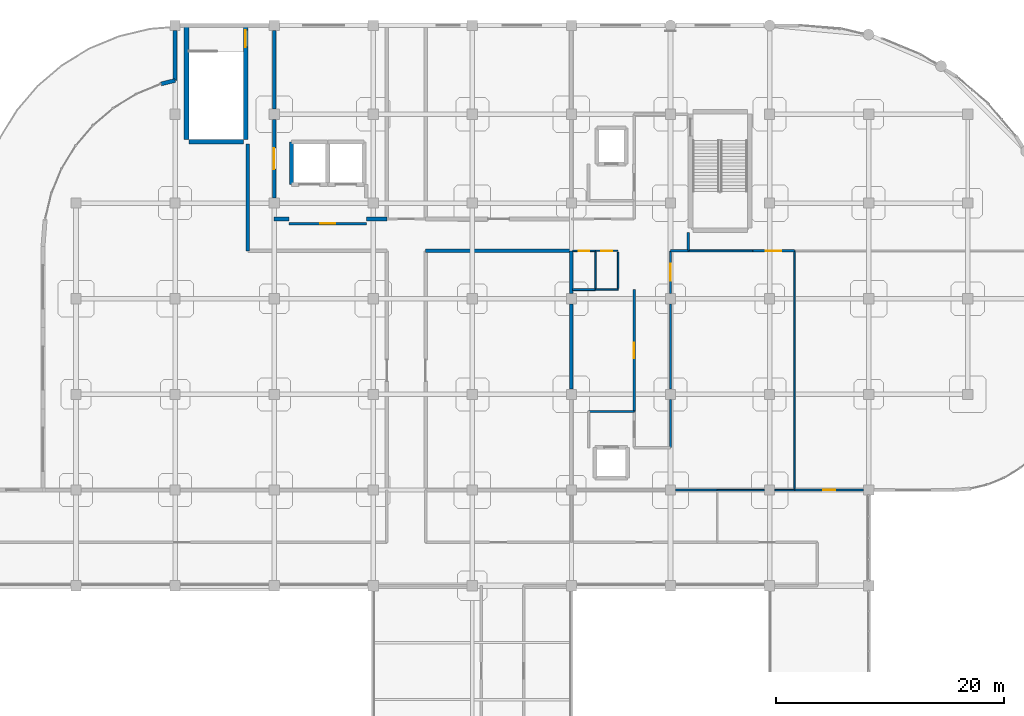
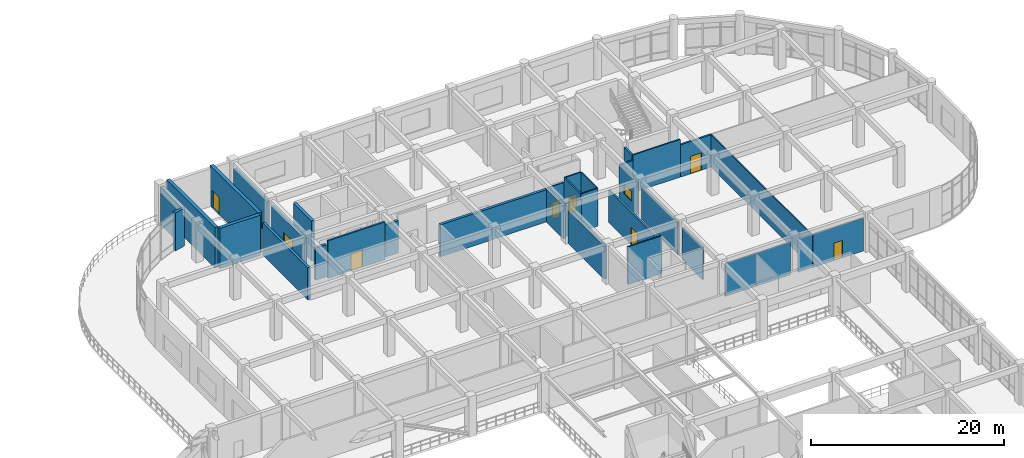
# One storey, part 104 of 120: 35 walls, 8 doors, 1 window, 9 openings.
"""IFC4 building model written with IfcOpenShell, lengths in metres."""

from ifc_helpers import new_model, si_unit, derived_unit, direction, frame, frame_2d, origin, place, context, subcontext, project, spatial, rectangle, extrude, material, layer, layer_set, type_object, element, fill, save


model = new_model("IFC4")

# Units and contexts
model_context = context("Model", 3, precision=1e-05, world=origin(), true_north=direction((0.0, 1.0)))
body_context = subcontext(model_context, "Body", "Model", "MODEL_VIEW")
ifc_project = project(units=[si_unit("LENGTHUNIT", "METRE"), si_unit("AREAUNIT", "SQUARE_METRE"), si_unit("VOLUMEUNIT", "CUBIC_METRE"), si_unit("PLANEANGLEUNIT", "RADIAN"), si_unit("MASSUNIT", "GRAM", prefix="KILO"), derived_unit("THERMALTRANSMITTANCEUNIT", [(si_unit("MASSUNIT", "GRAM", prefix="KILO"), 1), (si_unit("TIMEUNIT", "SECOND"), -3), (si_unit("THERMODYNAMICTEMPERATUREUNIT", "KELVIN"), -1)])], contexts=[model_context])

# Site, building, storey
site_placement = place(None, origin())
site = spatial("IfcSite", under=ifc_project, at=site_placement, CompositionType="ELEMENT")
building_placement = place(site_placement, origin())
building = spatial("IfcBuilding", under=site, at=building_placement, Name="Qinzheling Arcade Emporium", CompositionType="ELEMENT")
storey_placement = place(building_placement, frame((0.0, 0.0, 11.39990234375)))
storey = spatial("IfcBuildingStorey", under=building, at=storey_placement, Name="L03", CompositionType="ELEMENT", Elevation=11.39990234375)

# Wall, opening, door
ifc_material_1 = material(Name="Double-stud acoustic gypsum board partition")
ifc_layer_1 = layer(ifc_material_1, 0.215087890625, Name="Double-stud acoustic gypsum board partition")
ifc_layer_set_1 = layer_set([ifc_layer_1], Name="Double-stud acoustic gypsum board partition")
wall_type_1 = type_object("IfcWallType", Name="Acoustic Corridor Partition Wall 215", PredefinedType="PARTITIONING", material=ifc_layer_set_1)
wall_1_placement = place(storey_placement, frame((86.39990234375, 97.199951171875, 0.0), z_axis=(0.0, 0.0, 1.0), x_axis=(-1.0, 0.0, 0.0)))
wall_1 = element("IfcWall", 1, at=wall_1_placement, inside=storey, type_object=wall_type_1, Name="Interior Wall WL-L03-INT-0449", PredefinedType="PARTITIONING", context=body_context, shape_type="SweptSolid", body=[
    extrude(rectangle(XDim=6.7998046875, YDim=0.215087890625, at=frame_2d((3.39990234375, 0.0))), origin(), (0.0, 0.0, 1.0), 4.760009765625),
])
opening_1_placement = place(wall_1_placement, frame((2.72509765625, 0.0, 0.0)))
opening_1 = element("IfcOpeningElement", 2, at=opening_1_placement, cuts=wall_1, Name="Opening FD05", PredefinedType="OPENING", context=body_context, shape_type="SweptSolid", body=[
    extrude(rectangle(XDim=1.35009765625, YDim=2.199951171875, at=frame_2d((0.675048828125, 1.10009765625))), frame((0.0, 0.11767578125, 0.0), z_axis=(0.0, -1.0, 0.0), x_axis=(1.0, 0.0, 0.0)), (0.0, 0.0, 1.0), 0.235107421875),
])
ifc_material_2 = material(Name="Class B fire-rated stainless-clad door")
door_type_1 = type_object("IfcDoorType", Name="Kitchen Fire-Rated Service Door 1350x2200", OperationType="NOTDEFINED", PredefinedType="DOOR", material=ifc_material_2)
door_1_placement = place(opening_1_placement, origin())
door_1 = element("IfcDoor", 3, at=door_1_placement, inside=storey, type_object=door_type_1, Name="FD05 Interior Door DR-L03-INT-0125", OperationType="SINGLE_SWING_LEFT", OverallHeight=2.199951171875, OverallWidth=1.35009765625, PredefinedType="DOOR", context=body_context, shape_type="SweptSolid", body=[
    extrude(rectangle(XDim=1.35009765625, YDim=2.199951171875, at=frame_2d((0.675048828125, 1.10009765625))), frame((0.0, 0.02490234375, 0.0), z_axis=(0.0, -1.0, 0.0), x_axis=(1.0, 0.0, 0.0)), (0.0, 0.0, 1.0), 0.050048828125),
])
fill(opening_1, door_1)

# Wall
wall_2_placement = place(storey_placement, frame((114.655029296875, 94.800048828125, 0.0), z_axis=(0.0, 0.0, 1.0), x_axis=(-1.0, 0.0, 0.0)))
element("IfcWall", 4, at=wall_2_placement, inside=storey, type_object=wall_type_1, Name="Interior Wall WL-L03-INT-0531", PredefinedType="PARTITIONING", context=body_context, shape_type="SweptSolid", body=[
    extrude(rectangle(XDim=1.554931640625, YDim=0.215087890625, at=frame_2d((0.77734375, 0.0))), origin(), (0.0, 0.0, 1.0), 4.0751953125),
])

# Wall, opening, window
wall_3_placement = place(storey_placement, frame((113.10009765625, 94.800048828125, 0.0), z_axis=(0.0, 0.0, 1.0), x_axis=(0.0, -1.0, 0.0)))
wall_3 = element("IfcWall", 5, at=wall_3_placement, inside=storey, type_object=wall_type_1, Name="Interior Wall WL-L03-INT-0532", PredefinedType="PARTITIONING", context=body_context, shape_type="SweptSolid", body=[
    extrude(rectangle(XDim=3.739990234375, YDim=0.215087890625, at=frame_2d((1.8701171875, 0.0))), origin(), (0.0, 0.0, 1.0), 4.0751953125),
])
opening_2_placement = place(wall_3_placement, frame((1.1201171875, 0.0, 1.050048828125)))
opening_2 = element("IfcOpeningElement", 6, at=opening_2_placement, cuts=wall_3, Name="Opening IW03", PredefinedType="OPENING", context=body_context, shape_type="SweptSolid", body=[
    extrude(rectangle(XDim=1.5, YDim=1.199951171875, at=frame_2d((0.75, 0.60009765625))), frame((0.0, 0.11767578125, 0.0), z_axis=(0.0, -1.0, 0.0), x_axis=(1.0, 0.0, 0.0)), (0.0, 0.0, 1.0), 0.235107421875),
])
ifc_material_3 = material(Name="EI 60 fire-resistant clear safety glazing in steel frame", Category="steel")
window_type = type_object("IfcWindowType", Name="Interior Fire-Glazed Observation Window 1500x1200", PartitioningType="DOUBLE_PANEL_VERTICAL", PredefinedType="USERDEFINED", material=ifc_material_3)
window_placement = place(opening_2_placement, origin())
window = element("IfcWindow", 7, at=window_placement, inside=storey, type_object=window_type, Name="Interior Observation Window IWN-L03-02", ObjectType="BORROWED_LIGHT", OverallHeight=1.199951171875, OverallWidth=1.5, PartitioningType="DOUBLE_PANEL_VERTICAL", PredefinedType="USERDEFINED", context=body_context, shape_type="SweptSolid", body=[
    extrude(rectangle(XDim=1.5, YDim=1.199951171875, at=frame_2d((0.75, 0.60009765625))), frame((0.0, 0.030029296875, 0.0), z_axis=(0.0, -1.0, 0.0), x_axis=(1.0, 0.0, 0.0)), (0.0, 0.0, 1.0), 0.06005859375),
])
fill(opening_2, window)

# Walls
wall_4_placement = place(storey_placement, frame((113.10009765625, 90.139892578125, 0.0), z_axis=(0.0, 0.0, 1.0), x_axis=(0.0, -1.0, 0.0)))
element("IfcWall", 8, at=wall_4_placement, inside=storey, type_object=wall_type_1, Name="Interior Wall WL-L03-INT-0533", PredefinedType="PARTITIONING", context=body_context, shape_type="SweptSolid", body=[
    extrude(rectangle(XDim=7.47998046875, YDim=0.215087890625, at=frame_2d((3.739990234375, 0.0))), origin(), (0.0, 0.0, 1.0), 4.0751953125),
])
wall_5_placement = place(storey_placement, frame((113.10009765625, 81.739990234375, 0.0), z_axis=(0.0, 0.0, 1.0), x_axis=(0.0, -1.0, 0.0)))
element("IfcWall", 9, at=wall_5_placement, inside=storey, type_object=wall_type_1, Name="Interior Wall WL-L03-INT-0534", PredefinedType="PARTITIONING", context=body_context, shape_type="SweptSolid", body=[
    extrude(rectangle(XDim=4.2099609375, YDim=0.215087890625, at=frame_2d((2.10498046875, 0.0))), origin(), (0.0, 0.0, 1.0), 4.0751953125),
])

# Wall, opening, door
wall_6_placement = place(storey_placement, frame((109.89990234375, 80.699951171875, 0.0), z_axis=(0.0, 0.0, 1.0), x_axis=(0.0, 1.0, 0.0)))
wall_6 = element("IfcWall", 10, at=wall_6_placement, inside=storey, type_object=wall_type_1, Name="Interior Wall WL-L03-INT-0536", PredefinedType="PARTITIONING", context=body_context, shape_type="SweptSolid", body=[
    extrude(rectangle(XDim=10.699951171875, YDim=0.215087890625, at=frame_2d((5.35009765625, 0.0))), origin(), (0.0, 0.0, 1.0), 4.0751953125),
])
opening_3_placement = place(wall_6_placement, frame((4.675048828125, 0.0, 0.0)))
opening_3 = element("IfcOpeningElement", 11, at=opening_3_placement, cuts=wall_6, Name="Opening FD05", PredefinedType="OPENING", context=body_context, shape_type="SweptSolid", body=[
    extrude(rectangle(XDim=1.35009765625, YDim=2.199951171875, at=frame_2d((0.675048828125, 1.10009765625))), frame((0.0, 0.11767578125, 0.0), z_axis=(0.0, -1.0, 0.0), x_axis=(1.0, 0.0, 0.0)), (0.0, 0.0, 1.0), 0.235107421875),
])
door_2_placement = place(opening_3_placement, origin())
door_2 = element("IfcDoor", 12, at=door_2_placement, inside=storey, type_object=door_type_1, Name="FD05 Interior Door DR-L03-INT-0156", OperationType="SINGLE_SWING_RIGHT", OverallHeight=2.199951171875, OverallWidth=1.35009765625, PredefinedType="DOOR", context=body_context, shape_type="SweptSolid", body=[
    extrude(rectangle(XDim=1.35009765625, YDim=2.199951171875, at=frame_2d((0.675048828125, 1.10009765625))), frame((0.0, 0.02490234375, 0.0), z_axis=(0.0, -1.0, 0.0), x_axis=(1.0, 0.0, 0.0)), (0.0, 0.0, 1.0), 0.050048828125),
])
fill(opening_3, door_2)

# Wall
wall_7_placement = place(storey_placement, frame((114.655029296875, 96.39990234375, 0.0), z_axis=(0.0, 0.0, 1.0), x_axis=(0.0, -1.0, 0.0)))
element("IfcWall", 13, at=wall_7_placement, inside=storey, type_object=wall_type_1, Name="Interior Wall WL-L03-INT-0542", PredefinedType="PARTITIONING", context=body_context, shape_type="SweptSolid", body=[
    extrude(rectangle(XDim=1.599853515625, YDim=0.215087890625, at=frame_2d((0.7998046875, 0.0))), origin(), (0.0, 0.0, 1.0), 4.760009765625),
])

# Wall, opening, door
wall_8_placement = place(storey_placement, frame((120.300048828125, 94.800048828125, 0.0), z_axis=(0.0, 0.0, 1.0), x_axis=(1.0, 0.0, 0.0)))
wall_8 = element("IfcWall", 14, at=wall_8_placement, inside=storey, type_object=wall_type_1, Name="Interior Wall WL-L03-INT-0583", PredefinedType="PARTITIONING", context=body_context, shape_type="SweptSolid", body=[
    extrude(rectangle(XDim=3.699951171875, YDim=0.215087890625, at=frame_2d((1.85009765625, 0.0))), origin(), (0.0, 0.0, 1.0), 4.0751953125),
])
opening_4_placement = place(wall_8_placement, frame((1.175048828125, 0.0, 0.0)))
opening_4 = element("IfcOpeningElement", 15, at=opening_4_placement, cuts=wall_8, Name="Opening FD05", PredefinedType="OPENING", context=body_context, shape_type="SweptSolid", body=[
    extrude(rectangle(XDim=1.35009765625, YDim=2.199951171875, at=frame_2d((0.675048828125, 1.10009765625))), frame((0.0, 0.11767578125, 0.0), z_axis=(0.0, -1.0, 0.0), x_axis=(1.0, 0.0, 0.0)), (0.0, 0.0, 1.0), 0.235107421875),
])
door_3_placement = place(opening_4_placement, origin())
door_3 = element("IfcDoor", 16, at=door_3_placement, inside=storey, type_object=door_type_1, Name="FD05 Interior Door DR-L03-INT-0158", OperationType="SINGLE_SWING_RIGHT", OverallHeight=2.199951171875, OverallWidth=1.35009765625, PredefinedType="DOOR", context=body_context, shape_type="SweptSolid", body=[
    extrude(rectangle(XDim=1.35009765625, YDim=2.199951171875, at=frame_2d((0.675048828125, 1.10009765625))), frame((0.0, 0.02490234375, 0.0), z_axis=(0.0, -1.0, 0.0), x_axis=(1.0, 0.0, 0.0)), (0.0, 0.0, 1.0), 0.050048828125),
])
fill(opening_4, door_3)

# Walls
ifc_material_4 = material(Name="Demountable aluminium-and-gypsum retail partition", Category="aluminium")
ifc_layer_2 = layer(ifc_material_4, 0.1650390625, Name="Demountable aluminium-and-gypsum retail partition", Category="aluminium")
ifc_layer_set_2 = layer_set([ifc_layer_2], Name="Demountable aluminium-and-gypsum retail partition")
wall_type_2 = type_object("IfcWallType", Name="Boutique Demountable Partition Wall 165", PredefinedType="PARTITIONING", material=ifc_layer_set_2)
wall_9_placement = place(storey_placement, frame((114.655029296875, 94.800048828125, 0.0), z_axis=(0.0, 0.0, 1.0), x_axis=(1.0, 0.0, 0.0)))
element("IfcWall", 17, at=wall_9_placement, inside=storey, type_object=wall_type_2, Name="Interior Wall WL-L03-INT-0584", PredefinedType="PARTITIONING", context=body_context, shape_type="SweptSolid", body=[
    extrude(rectangle(XDim=5.64501953125, YDim=0.1650390625, at=frame_2d((2.822509765625, 0.0))), origin(), (0.0, 0.0, 1.0), 4.760009765625),
])
ifc_material_5 = material(Name="Fluted granite ashlar on Concrete C40", Category="masonry")
ifc_layer_3 = layer(ifc_material_5, 0.35009765625, Name="Fluted granite ashlar on Concrete C40", Category="masonry")
ifc_layer_set_3 = layer_set([ifc_layer_3], Name="Fluted granite ashlar on Concrete C40")
wall_type_3 = type_object("IfcWallType", Name="Fluted Granite Logistics Wall 350", PredefinedType="STANDARD", material=ifc_layer_set_3)
wall_10_placement = place(storey_placement, frame((68.364990234375, 109.466064453125, 0.0), z_axis=(0.0, 0.0, 1.0), x_axis=(0.972481446434, 0.232980334667, 0.0)))
element("IfcWall", 18, at=wall_10_placement, inside=storey, type_object=wall_type_3, Name="Exterior Wall WL-L03-EW-0182", PredefinedType="STANDARD", context=body_context, shape_type="SweptSolid", body=[
    extrude(rectangle(XDim=1.27001953125, YDim=0.35009765625, at=frame_2d((0.635009765625, 0.0))), origin(), (0.0, 0.0, 1.0), 4.7900390625),
])
wall_11_placement = place(storey_placement, frame((69.60009765625, 109.761962890625, 0.0), z_axis=(0.0, 0.0, 1.0), x_axis=(0.0, 1.0, 0.0)))
element("IfcWall", 19, at=wall_11_placement, inside=storey, type_object=wall_type_3, Name="Exterior Wall WL-L03-EW-0183", PredefinedType="STANDARD", context=body_context, shape_type="SweptSolid", body=[
    extrude(rectangle(XDim=4.385986328125, YDim=0.35009765625, at=frame_2d((2.19287109375, 0.0))), origin(), (0.0, 0.0, 1.0), 4.7900390625),
])
ifc_material_6 = material(Name="Lightweight gypsum studio partition")
ifc_layer_4 = layer(ifc_material_6, 0.125, Name="Lightweight gypsum studio partition")
ifc_layer_set_4 = layer_set([ifc_layer_4], Name="Lightweight gypsum studio partition")
wall_type_4 = type_object("IfcWallType", Name="Merchandising Studio Partition Wall 125", PredefinedType="PARTITIONING", material=ifc_layer_set_4)
wall_12_placement = place(storey_placement, frame((117.199951171875, 73.800048828125, 0.0), z_axis=(0.0, 0.0, 1.0), x_axis=(1.0, 0.0, 0.0)))
element("IfcWall", 20, at=wall_12_placement, inside=storey, type_object=wall_type_4, Name="Interior Wall WL-L03-INT-0570", PredefinedType="PARTITIONING", context=body_context, shape_type="SweptSolid", body=[
    extrude(rectangle(XDim=4.14013671875, YDim=0.125, at=frame_2d((2.070068359375, 0.0))), origin(), (0.0, 0.0, 1.0), 4.175048828125),
])
wall_13_placement = place(storey_placement, frame((122.260009765625, 73.800048828125, 0.0), z_axis=(0.0, 0.0, 1.0), x_axis=(1.0, 0.0, 0.0)))
element("IfcWall", 21, at=wall_13_placement, inside=storey, type_object=wall_type_4, Name="Interior Wall WL-L03-INT-0571", PredefinedType="PARTITIONING", context=body_context, shape_type="SweptSolid", body=[
    extrude(rectangle(XDim=1.739990234375, YDim=0.125, at=frame_2d((0.8701171875, 0.0))), origin(), (0.0, 0.0, 1.0), 4.175048828125),
])
ifc_material_7 = material(Name="Moisture-resistant shaftliner gypsum board")
ifc_layer_5 = layer(ifc_material_7, 0.155029296875, Name="Moisture-resistant shaftliner gypsum board")
ifc_layer_set_5 = layer_set([ifc_layer_5], Name="Moisture-resistant shaftliner gypsum board")
wall_type_5 = type_object("IfcWallType", Name="Plumbing and Service Riser Wall 155", PredefinedType="MOVABLE", material=ifc_layer_set_5)
wall_14_placement = place(storey_placement, frame((106.5, 91.39990234375, 0.0), z_axis=(0.0, 0.0, 1.0), x_axis=(-1.0, 0.0, 0.0)))
element("IfcWall", 22, at=wall_14_placement, inside=storey, type_object=wall_type_5, Name="Interior Wall WL-L03-INT-0463", PredefinedType="MOVABLE", context=body_context, shape_type="SweptSolid", body=[
    extrude(rectangle(XDim=2.0, YDim=0.155029296875, at=frame_2d((1.0, 0.0))), origin(), (0.0, 0.0, 1.0), 4.175048828125),
])
ifc_material_8 = material(Name="Concrete C40", Category="concrete")
ifc_layer_6 = layer(ifc_material_8, 0.35009765625, Name="Concrete C40", Category="concrete")
ifc_layer_set_6 = layer_set([ifc_layer_6], Name="Concrete C40")
wall_type_6 = type_object("IfcWallType", Name="RC Lift Shaft Shear Wall 350 C40", PredefinedType="SHEAR", material=ifc_layer_set_6)
wall_15_placement = place(storey_placement, frame((79.824951171875, 100.625, 0.0), z_axis=(0.0, 0.0, 1.0), x_axis=(0.0, 1.0, 0.0)))
element("IfcWall", 23, at=wall_15_placement, inside=storey, type_object=wall_type_6, Name="Lift Shaft Wall WL-L03-LFT-LG01-W", PredefinedType="SHEAR", context=body_context, shape_type="SweptSolid", body=[
    extrude(rectangle(XDim=3.75, YDim=0.35009765625, at=frame_2d((1.875, 0.0))), origin(), (0.0, 0.0, 1.0), 5.10009765625),
])
ifc_material_9 = material(Name="Concrete C50", Category="concrete")
ifc_layer_7 = layer(ifc_material_9, 0.39990234375, Name="Concrete C50", Category="concrete")
ifc_layer_set_7 = layer_set([ifc_layer_7], Name="Concrete C50")
wall_type_7 = type_object("IfcWallType", Name="RC Stair Core Shear Wall 400 C50", PredefinedType="SHEAR", material=ifc_layer_set_7)
wall_16_placement = place(storey_placement, frame((70.60009765625, 104.60009765625, 0.0), z_axis=(0.0, 0.0, 1.0), x_axis=(0.0, 1.0, 0.0)))
element("IfcWall", 24, at=wall_16_placement, inside=storey, type_object=wall_type_7, Name="Stair Core Wall WL-L03-ST07-WEST", PredefinedType="SHEAR", context=body_context, shape_type="SweptSolid", body=[
    extrude(rectangle(XDim=10.0, YDim=0.39990234375, at=frame_2d((5.0, 0.0))), origin(), (0.0, 0.0, 1.0), 5.10009765625),
])

# Wall, opening, door
wall_17_placement = place(storey_placement, frame((75.7900390625, 114.60009765625, 0.0), z_axis=(0.0, 0.0, 1.0), x_axis=(0.0, -1.0, 0.0)))
wall_17 = element("IfcWall", 25, at=wall_17_placement, inside=storey, type_object=wall_type_7, Name="Stair Core Wall WL-L03-ST07-EAST", PredefinedType="SHEAR", context=body_context, shape_type="SweptSolid", body=[
    extrude(rectangle(XDim=10.0, YDim=0.39990234375, at=frame_2d((5.0, 0.0))), origin(), (0.0, 0.0, 1.0), 5.10009765625),
])
opening_5_placement = place(wall_17_placement, frame((0.409912109375, 0.0, 0.0)))
opening_5 = element("IfcOpeningElement", 26, at=opening_5_placement, cuts=wall_17, Name="Opening FD01", PredefinedType="OPENING", context=body_context, shape_type="SweptSolid", body=[
    extrude(rectangle(XDim=1.5, YDim=2.199951171875, at=frame_2d((0.75, 1.10009765625))), frame((0.0, 0.2099609375, 0.0), z_axis=(0.0, -1.0, 0.0), x_axis=(1.0, 0.0, 0.0)), (0.0, 0.0, 1.0), 0.419921875),
])
ifc_material_10 = material(Name="Class A fire-rated steel double door", Category="steel")
door_type_2 = type_object("IfcDoorType", Name="Stairwell Smoke-Proof Fire Door 1500x2200", OperationType="DOUBLE_DOOR_SINGLE_SWING", PredefinedType="DOOR", material=ifc_material_10)
door_4_placement = place(opening_5_placement, origin())
door_4 = element("IfcDoor", 27, at=door_4_placement, inside=storey, type_object=door_type_2, Name="FD01 Stairwell Fire Door DR-L03-ST07-FD", OperationType="DOUBLE_DOOR_SINGLE_SWING", OverallHeight=2.199951171875, OverallWidth=1.5, PredefinedType="DOOR", context=body_context, shape_type="SweptSolid", body=[
    extrude(rectangle(XDim=1.5, YDim=2.199951171875, at=frame_2d((0.75, 1.10009765625))), frame((0.0, 0.02490234375, 0.0), z_axis=(0.0, -1.0, 0.0), x_axis=(1.0, 0.0, 0.0)), (0.0, 0.0, 1.0), 0.050048828125),
])
fill(opening_5, door_4)

# Walls
wall_18_placement = place(storey_placement, frame((75.590087890625, 104.39990234375, 0.0), z_axis=(0.0, 0.0, 1.0), x_axis=(-1.0, 0.0, 0.0)))
element("IfcWall", 28, at=wall_18_placement, inside=storey, type_object=wall_type_7, Name="Stair Core Wall WL-L03-ST07-SOUTH", PredefinedType="SHEAR", context=body_context, shape_type="SweptSolid", body=[
    extrude(rectangle(XDim=4.7900390625, YDim=0.39990234375, at=frame_2d((2.39501953125, 0.0))), origin(), (0.0, 0.0, 1.0), 5.10009765625),
])
ifc_material_11 = material(Name="Autoclaved aerated concrete masonry with fire plaster", Category="masonry")
ifc_layer_8 = layer(ifc_material_11, 0.31005859375, Name="Autoclaved aerated concrete masonry with fire plaster", Category="masonry")
ifc_layer_set_8 = layer_set([ifc_layer_8], Name="Autoclaved aerated concrete masonry with fire plaster")
wall_type_8 = type_object("IfcWallType", Name="Retail Compartment Fire Wall 310 C40", PredefinedType="STANDARD", material=ifc_layer_set_8)
wall_19_placement = place(storey_placement, frame((75.989990234375, 94.800048828125, 0.0), z_axis=(0.0, 0.0, 1.0), x_axis=(0.0, 1.0, 0.0)))
element("IfcWall", 29, at=wall_19_placement, inside=storey, type_object=wall_type_8, Name="Interior Wall WL-L03-INT-0523", PredefinedType="STANDARD", context=body_context, shape_type="SweptSolid", body=[
    extrude(rectangle(XDim=9.39990234375, YDim=0.31005859375, at=frame_2d((4.699951171875, 0.0))), origin(), (0.0, 0.0, 1.0), 4.06005859375),
])
wall_20_placement = place(storey_placement, frame((78.300048828125, 114.139892578125, 0.0), z_axis=(0.0, 0.0, 1.0), x_axis=(0.0, -1.0, 0.0)))
element("IfcWall", 30, at=wall_20_placement, inside=storey, type_object=wall_type_8, Name="Interior Wall WL-L03-INT-0524", PredefinedType="STANDARD", context=body_context, shape_type="SweptSolid", body=[
    extrude(rectangle(XDim=6.8798828125, YDim=0.31005859375, at=frame_2d((3.43994140625, 0.0))), origin(), (0.0, 0.0, 1.0), 4.06005859375),
])

# Wall, opening, door
wall_21_placement = place(storey_placement, frame((78.300048828125, 106.340087890625, 0.0), z_axis=(0.0, 0.0, 1.0), x_axis=(0.0, -1.0, 0.0)))
wall_21 = element("IfcWall", 31, at=wall_21_placement, inside=storey, type_object=wall_type_8, Name="Interior Wall WL-L03-INT-0525", PredefinedType="STANDARD", context=body_context, shape_type="SweptSolid", body=[
    extrude(rectangle(XDim=6.880126953125, YDim=0.31005859375, at=frame_2d((3.43994140625, 0.0))), origin(), (0.0, 0.0, 1.0), 4.06005859375),
])
opening_6_placement = place(wall_21_placement, frame((2.514892578125, 0.0, 0.0)))
opening_6 = element("IfcOpeningElement", 32, at=opening_6_placement, cuts=wall_21, Name="Opening FD03", PredefinedType="OPENING", context=body_context, shape_type="SweptSolid", body=[
    extrude(rectangle(XDim=1.85009765625, YDim=2.300048828125, at=frame_2d((0.925048828125, 1.14990234375))), frame((0.0, 0.1650390625, 0.0), z_axis=(0.0, -1.0, 0.0), x_axis=(1.0, 0.0, 0.0)), (0.0, 0.0, 1.0), 0.330078125),
])
door_type_3 = type_object("IfcDoorType", Name="Stockroom Double Fire Door 1850x2300", OperationType="DOUBLE_DOOR_SINGLE_SWING", PredefinedType="DOOR", material=ifc_material_10)
door_5_placement = place(opening_6_placement, origin())
door_5 = element("IfcDoor", 33, at=door_5_placement, inside=storey, type_object=door_type_3, Name="FD03 Interior Door DR-L03-INT-0153", OperationType="DOUBLE_DOOR_SINGLE_SWING", OverallHeight=2.300048828125, OverallWidth=1.85009765625, PredefinedType="DOOR", context=body_context, shape_type="SweptSolid", body=[
    extrude(rectangle(XDim=1.85009765625, YDim=2.300048828125, at=frame_2d((0.925048828125, 1.14990234375))), frame((0.0, 0.02490234375, 0.0), z_axis=(0.0, -1.0, 0.0), x_axis=(1.0, 0.0, 0.0)), (0.0, 0.0, 1.0), 0.050048828125),
])
fill(opening_6, door_5)

# Walls
wall_22_placement = place(storey_placement, frame((78.300048828125, 97.60009765625, 0.0), z_axis=(0.0, 0.0, 1.0), x_axis=(1.0, 0.0, 0.0)))
element("IfcWall", 34, at=wall_22_placement, inside=storey, type_object=wall_type_8, Name="Interior Wall WL-L03-INT-0526", PredefinedType="STANDARD", context=body_context, shape_type="SweptSolid", body=[
    extrude(rectangle(XDim=1.300048828125, YDim=0.31005859375, at=frame_2d((0.64990234375, 0.0))), origin(), (0.0, 0.0, 1.0), 4.06005859375),
])
wall_23_placement = place(storey_placement, frame((86.39990234375, 97.60009765625, 0.0), z_axis=(0.0, 0.0, 1.0), x_axis=(1.0, 0.0, 0.0)))
element("IfcWall", 35, at=wall_23_placement, inside=storey, type_object=wall_type_8, Name="Interior Wall WL-L03-INT-0527", PredefinedType="STANDARD", context=body_context, shape_type="SweptSolid", body=[
    extrude(rectangle(XDim=1.800048828125, YDim=0.31005859375, at=frame_2d((0.89990234375, 0.0))), origin(), (0.0, 0.0, 1.0), 4.06005859375),
])
wall_24_placement = place(storey_placement, frame((104.39990234375, 94.800048828125, 0.0), z_axis=(0.0, 0.0, 1.0), x_axis=(-1.0, 0.0, 0.0)))
element("IfcWall", 36, at=wall_24_placement, inside=storey, type_object=wall_type_8, Name="Interior Wall WL-L03-INT-0528", PredefinedType="STANDARD", context=body_context, shape_type="SweptSolid", body=[
    extrude(rectangle(XDim=12.7998046875, YDim=0.31005859375, at=frame_2d((6.39990234375, 0.0))), origin(), (0.0, 0.0, 1.0), 4.06005859375),
])
wall_25_placement = place(storey_placement, frame((104.39990234375, 94.800048828125, 0.0), z_axis=(0.0, 0.0, 1.0), x_axis=(0.0, -1.0, 0.0)))
element("IfcWall", 37, at=wall_25_placement, inside=storey, type_object=wall_type_8, Name="Interior Wall WL-L03-INT-0576", PredefinedType="STANDARD", context=body_context, shape_type="SweptSolid", body=[
    extrude(rectangle(XDim=3.739990234375, YDim=0.31005859375, at=frame_2d((1.8701171875, 0.0))), origin(), (0.0, 0.0, 1.0), 4.175048828125),
])
wall_26_placement = place(storey_placement, frame((104.39990234375, 90.139892578125, 0.0), z_axis=(0.0, 0.0, 1.0), x_axis=(0.0, -1.0, 0.0)))
element("IfcWall", 38, at=wall_26_placement, inside=storey, type_object=wall_type_8, Name="Interior Wall WL-L03-INT-0577", PredefinedType="STANDARD", context=body_context, shape_type="SweptSolid", body=[
    extrude(rectangle(XDim=7.47998046875, YDim=0.31005859375, at=frame_2d((3.739990234375, 0.0))), origin(), (0.0, 0.0, 1.0), 4.175048828125),
])

# Wall, opening, door
ifc_material_12 = material(Name="Double-board salon partition")
ifc_layer_9 = layer(ifc_material_12, 0.175048828125, Name="Double-board salon partition")
ifc_layer_set_9 = layer_set([ifc_layer_9], Name="Double-board salon partition")
wall_type_9 = type_object("IfcWallType", Name="Salon Acoustic Partition Wall 175", PredefinedType="PARTITIONING", material=ifc_layer_set_9)
wall_27_placement = place(storey_placement, frame((124.0, 73.800048828125, 0.0), z_axis=(0.0, 0.0, 1.0), x_axis=(1.0, 0.0, 0.0)))
wall_27 = element("IfcWall", 39, at=wall_27_placement, inside=storey, type_object=wall_type_9, Name="Interior Wall WL-L03-INT-0572", PredefinedType="PARTITIONING", context=body_context, shape_type="SweptSolid", body=[
    extrude(rectangle(XDim=6.0400390625, YDim=0.175048828125, at=frame_2d((3.02001953125, 0.0))), origin(), (0.0, 0.0, 1.0), 4.175048828125),
])
opening_7_placement = place(wall_27_placement, frame((2.4951171875, 0.0, 0.0)))
opening_7 = element("IfcOpeningElement", 40, at=opening_7_placement, cuts=wall_27, Name="Opening D07", PredefinedType="OPENING", context=body_context, shape_type="SweptSolid", body=[
    extrude(rectangle(XDim=1.050048828125, YDim=2.199951171875, at=frame_2d((0.52490234375, 1.10009765625))), frame((0.0, 0.09765625, 0.0), z_axis=(0.0, -1.0, 0.0), x_axis=(1.0, 0.0, 0.0)), (0.0, 0.0, 1.0), 0.195068359375),
])
ifc_material_13 = material(Name="Vision-panel timber office door", Category="wood")
door_type_4 = type_object("IfcDoorType", Name="Buying Office Single Door 1050x2200", OperationType="NOTDEFINED", PredefinedType="DOOR", material=ifc_material_13)
door_6_placement = place(opening_7_placement, origin())
door_6 = element("IfcDoor", 41, at=door_6_placement, inside=storey, type_object=door_type_4, Name="D07 Interior Door DR-L03-INT-0157", OperationType="SINGLE_SWING_LEFT", OverallHeight=2.199951171875, OverallWidth=1.050048828125, PredefinedType="DOOR", context=body_context, shape_type="SweptSolid", body=[
    extrude(rectangle(XDim=1.050048828125, YDim=2.199951171875, at=frame_2d((0.52490234375, 1.10009765625))), frame((0.0, 0.02490234375, 0.0), z_axis=(0.0, -1.0, 0.0), x_axis=(1.0, 0.0, 0.0)), (0.0, 0.0, 1.0), 0.050048828125),
])
fill(opening_7, door_6)

# Walls
ifc_material_14 = material(Name="Steel-stud showroom partition", Category="steel")
ifc_layer_10 = layer(ifc_material_14, 0.159912109375, Name="Steel-stud showroom partition", Category="steel")
ifc_layer_set_10 = layer_set([ifc_layer_10], Name="Steel-stud showroom partition")
wall_type_10 = type_object("IfcWallType", Name="Showroom Partition Wall 160", PredefinedType="PARTITIONING", material=ifc_layer_set_10)
wall_28_placement = place(storey_placement, frame((105.89990234375, 80.699951171875, 0.0), z_axis=(0.0, 0.0, 1.0), x_axis=(1.0, 0.0, 0.0)))
element("IfcWall", 42, at=wall_28_placement, inside=storey, type_object=wall_type_10, Name="Interior Wall WL-L03-INT-0448", PredefinedType="PARTITIONING", context=body_context, shape_type="SweptSolid", body=[
    extrude(rectangle(XDim=4.0, YDim=0.159912109375, at=frame_2d((2.0, 0.0))), origin(), (0.0, 0.0, 1.0), 4.760009765625),
])
ifc_material_15 = material(Name="Moisture-resistant tea room partition")
ifc_layer_11 = layer(ifc_material_15, 0.1298828125, Name="Moisture-resistant tea room partition")
ifc_layer_set_11 = layer_set([ifc_layer_11], Name="Moisture-resistant tea room partition")
wall_type_11 = type_object("IfcWallType", Name="Tea Room Partition Wall 130", PredefinedType="PARTITIONING", material=ifc_layer_set_11)
wall_29_placement = place(storey_placement, frame((124.0, 94.800048828125, 0.0), z_axis=(0.0, 0.0, 1.0), x_axis=(0.0, -1.0, 0.0)))
element("IfcWall", 43, at=wall_29_placement, inside=storey, type_object=wall_type_11, Name="Interior Wall WL-L03-INT-0582", PredefinedType="PARTITIONING", context=body_context, shape_type="SweptSolid", body=[
    extrude(rectangle(XDim=21.0, YDim=0.1298828125, at=frame_2d((10.5, 0.0))), origin(), (0.0, 0.0, 1.0), 4.0751953125),
])
ifc_material_16 = material(Name="Moisture-resistant cement-board WC partition")
ifc_layer_12 = layer(ifc_material_16, 0.14501953125, Name="Moisture-resistant cement-board WC partition")
ifc_layer_set_12 = layer_set([ifc_layer_12], Name="Moisture-resistant cement-board WC partition")
wall_type_12 = type_object("IfcWallType", Name="Washroom Moisture Partition Wall 145", PredefinedType="PARTITIONING", material=ifc_layer_set_12)
wall_30_placement = place(storey_placement, frame((106.5, 94.800048828125, 0.0), z_axis=(0.0, 0.0, 1.0), x_axis=(0.0, -1.0, 0.0)))
element("IfcWall", 44, at=wall_30_placement, inside=storey, type_object=wall_type_12, Name="Interior Wall WL-L03-INT-0461", PredefinedType="PARTITIONING", context=body_context, shape_type="SweptSolid", body=[
    extrude(rectangle(XDim=3.400146484375, YDim=0.14501953125, at=frame_2d((1.7001953125, 0.0))), origin(), (0.0, 0.0, 1.0), 4.760009765625),
])

# Wall, opening, door
wall_31_placement = place(storey_placement, frame((104.5, 94.800048828125, 0.0), z_axis=(0.0, 0.0, 1.0), x_axis=(1.0, 0.0, 0.0)))
wall_31 = element("IfcWall", 45, at=wall_31_placement, inside=storey, type_object=wall_type_12, Name="Interior Wall WL-L03-INT-0462", PredefinedType="PARTITIONING", context=body_context, shape_type="SweptSolid", body=[
    extrude(rectangle(XDim=2.0, YDim=0.14501953125, at=frame_2d((1.0, 0.0))), origin(), (0.0, 0.0, 1.0), 4.175048828125),
])
opening_8_placement = place(wall_31_placement, frame((0.52490234375, 0.0, 0.0)))
opening_8 = element("IfcOpeningElement", 46, at=opening_8_placement, cuts=wall_31, Name="Opening D12", PredefinedType="OPENING", context=body_context, shape_type="SweptSolid", body=[
    extrude(rectangle(XDim=0.949951171875, YDim=2.14990234375, at=frame_2d((0.47509765625, 1.074951171875))), frame((0.0, 0.08251953125, 0.0), z_axis=(0.0, -1.0, 0.0), x_axis=(1.0, 0.0, 0.0)), (0.0, 0.0, 1.0), 0.1650390625),
])
ifc_material_17 = material(Name="Antimicrobial high-pressure laminate door")
door_type_5 = type_object("IfcDoorType", Name="Public Male Washroom Door 950x2150", OperationType="NOTDEFINED", PredefinedType="DOOR", material=ifc_material_17)
door_7_placement = place(opening_8_placement, origin())
door_7 = element("IfcDoor", 47, at=door_7_placement, inside=storey, type_object=door_type_5, Name="D12 Interior Door DR-L03-INT-0129", OperationType="SINGLE_SWING_LEFT", OverallHeight=2.14990234375, OverallWidth=0.949951171875, PredefinedType="DOOR", context=body_context, shape_type="SweptSolid", body=[
    extrude(rectangle(XDim=0.949951171875, YDim=2.14990234375, at=frame_2d((0.47509765625, 1.074951171875))), frame((0.0, 0.02490234375, 0.0), z_axis=(0.0, -1.0, 0.0), x_axis=(1.0, 0.0, 0.0)), (0.0, 0.0, 1.0), 0.050048828125),
])
fill(opening_8, door_7)

wall_32_placement = place(storey_placement, frame((106.5, 94.800048828125, 0.0), z_axis=(0.0, 0.0, 1.0), x_axis=(1.0, 0.0, 0.0)))
wall_32 = element("IfcWall", 48, at=wall_32_placement, inside=storey, type_object=wall_type_12, Name="Interior Wall WL-L03-INT-0464", PredefinedType="PARTITIONING", context=body_context, shape_type="SweptSolid", body=[
    extrude(rectangle(XDim=2.0, YDim=0.14501953125, at=frame_2d((1.0, 0.0))), origin(), (0.0, 0.0, 1.0), 4.760009765625),
])
opening_9_placement = place(wall_32_placement, frame((0.52490234375, 0.0, 0.0)))
opening_9 = element("IfcOpeningElement", 49, at=opening_9_placement, cuts=wall_32, Name="Opening D13", PredefinedType="OPENING", context=body_context, shape_type="SweptSolid", body=[
    extrude(rectangle(XDim=0.949951171875, YDim=2.199951171875, at=frame_2d((0.47509765625, 1.10009765625))), frame((0.0, 0.08251953125, 0.0), z_axis=(0.0, -1.0, 0.0), x_axis=(1.0, 0.0, 0.0)), (0.0, 0.0, 1.0), 0.1650390625),
])
door_type_6 = type_object("IfcDoorType", Name="Public Female Washroom Door 950x2200", OperationType="NOTDEFINED", PredefinedType="DOOR", material=ifc_material_17)
door_8_placement = place(opening_9_placement, origin())
door_8 = element("IfcDoor", 50, at=door_8_placement, inside=storey, type_object=door_type_6, Name="D13 Interior Door DR-L03-INT-0130", OperationType="SINGLE_SWING_RIGHT", OverallHeight=2.199951171875, OverallWidth=0.949951171875, PredefinedType="DOOR", context=body_context, shape_type="SweptSolid", body=[
    extrude(rectangle(XDim=0.949951171875, YDim=2.199951171875, at=frame_2d((0.47509765625, 1.10009765625))), frame((0.0, 0.02490234375, 0.0), z_axis=(0.0, -1.0, 0.0), x_axis=(1.0, 0.0, 0.0)), (0.0, 0.0, 1.0), 0.050048828125),
])
fill(opening_9, door_8)

# Walls
wall_33_placement = place(storey_placement, frame((108.5, 91.39990234375, 0.0), z_axis=(0.0, 0.0, 1.0), x_axis=(-1.0, 0.0, 0.0)))
element("IfcWall", 51, at=wall_33_placement, inside=storey, type_object=wall_type_12, Name="Interior Wall WL-L03-INT-0465", PredefinedType="PARTITIONING", context=body_context, shape_type="SweptSolid", body=[
    extrude(rectangle(XDim=2.0, YDim=0.14501953125, at=frame_2d((1.0, 0.0))), origin(), (0.0, 0.0, 1.0), 4.760009765625),
])
wall_34_placement = place(storey_placement, frame((117.199951171875, 73.800048828125, 0.0), z_axis=(0.0, 0.0, 1.0), x_axis=(-1.0, 0.0, 0.0)))
element("IfcWall", 52, at=wall_34_placement, inside=storey, type_object=wall_type_12, Name="Interior Wall WL-L03-INT-0585", PredefinedType="PARTITIONING", context=body_context, shape_type="SweptSolid", body=[
    extrude(rectangle(XDim=3.639892578125, YDim=0.14501953125, at=frame_2d((1.81982421875, 0.0))), origin(), (0.0, 0.0, 1.0), 4.175048828125),
])
wall_35_placement = place(storey_placement, frame((108.5, 94.697021484375, 0.0), z_axis=(0.0, 0.0, 1.0), x_axis=(0.0, -1.0, 0.0)))
element("IfcWall", 53, at=wall_35_placement, inside=storey, type_object=wall_type_12, Name="Interior Wall WL-L03-INT-0588", PredefinedType="PARTITIONING", context=body_context, shape_type="SweptSolid", body=[
    extrude(rectangle(XDim=3.194091796875, YDim=0.14501953125, at=frame_2d((1.59716796875, 0.0))), origin(), (0.0, 0.0, 1.0), 4.760009765625),
])

save(model, "model.ifc")
